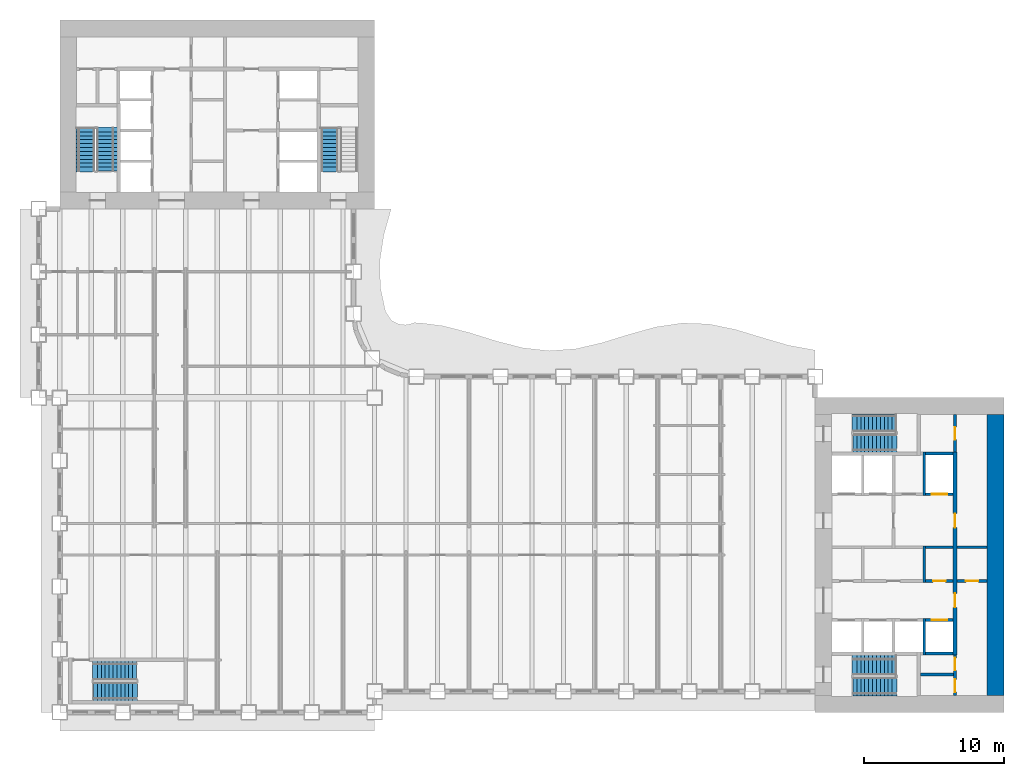
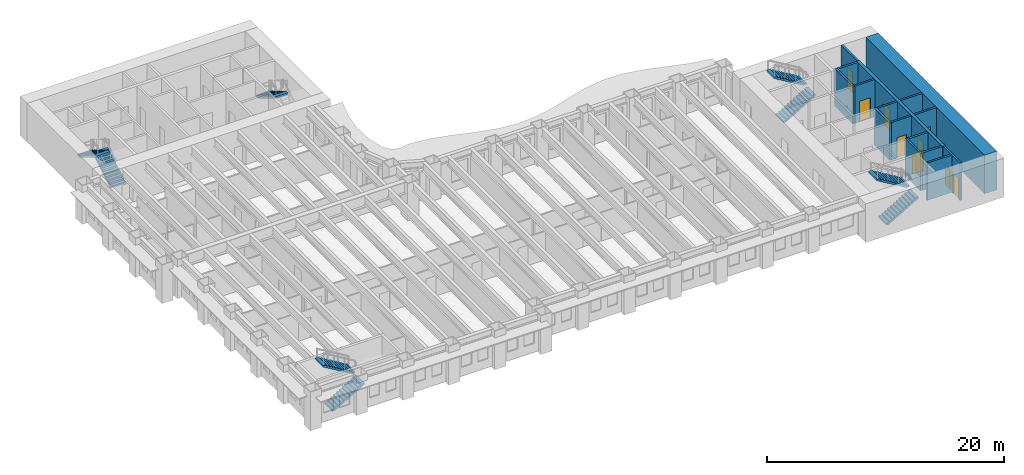
# One storey, part 9 of 16: 16 walls, 9 doors, 9 stair flights, 9 openings, 5 elements without a shape of their own.
"""IFC4 building model written with IfcOpenShell, lengths in metres."""

from ifc_helpers import new_model, si_unit, direction, frame, frame_2d, origin, place, context, subcontext, project, spatial, polyline, rectangle, outline, extrude, material, layer, layer_set, type_object, element, fill, aggregate, save


model = new_model("IFC4")

# Units and contexts
model_context = context("Model", 3, precision=1e-05, world=origin(), true_north=direction((0.0, 1.0)))
body_context = subcontext(model_context, "Body", "Model", "MODEL_VIEW")
ifc_project = project(units=[si_unit("LENGTHUNIT", "METRE"), si_unit("AREAUNIT", "SQUARE_METRE"), si_unit("VOLUMEUNIT", "CUBIC_METRE"), si_unit("PLANEANGLEUNIT", "RADIAN"), si_unit("MASSUNIT", "GRAM", prefix="KILO")], contexts=[model_context])

# Site, building, storey
site_placement = place(None, origin())
site = spatial("IfcSite", under=ifc_project, at=site_placement, CompositionType="ELEMENT")
building_placement = place(site_placement, origin())
building = spatial("IfcBuilding", under=site, at=building_placement, Name="Sennacour Bend Tower", CompositionType="ELEMENT")
storey_placement = place(building_placement, frame((0.0, 0.0, 45.0)))
storey = spatial("IfcBuildingStorey", under=building, at=storey_placement, Name="L09", CompositionType="ELEMENT", Elevation=45.0)

# Walls
ifc_material_1 = material(Name="Concrete C80/95", Category="concrete")
ifc_layer_1 = layer(ifc_material_1, 1.199951171875, Name="Concrete C80/95", Category="concrete")
ifc_layer_set_1 = layer_set([ifc_layer_1], Name="Concrete C80/95")
wall_type_1 = type_object("IfcWallType", Name="Core wall 1200 C80/95", PredefinedType="SHEAR", material=ifc_layer_set_1)
wall_1_placement = place(storey_placement, frame((66.89990234375, 1.199951171875, -0.14990234375), z_axis=(0.0, 0.0, 1.0), x_axis=(0.0, 1.0, 0.0)))
element("IfcWall", 1, at=wall_1_placement, inside=storey, type_object=wall_type_1, Name="Core A wall L09 E", PredefinedType="SHEAR", context=body_context, shape_type="SweptSolid", body=[
    extrude(rectangle(XDim=20.10009765625, YDim=1.199951171875, at=frame_2d((10.050048828125, 0.0))), origin(), (0.0, 0.0, 1.0), 4.0),
])
ifc_material_2 = material(Name="Fire-rated plasterboard partition on steel studs", Category="steel")
ifc_layer_2 = layer(ifc_material_2, 0.199951171875, Name="Fire-rated plasterboard partition on steel studs", Category="steel")
ifc_layer_set_2 = layer_set([ifc_layer_2], Name="Fire-rated plasterboard partition on steel studs")
wall_type_2 = type_object("IfcWallType", Name="Rated partition 200", PredefinedType="PARTITIONING", material=ifc_layer_set_2)
wall_2_placement = place(storey_placement, frame((61.800048828125, 9.300048828125, 0.0), z_axis=(0.0, 0.0, 1.0), x_axis=(0.0, 1.0, 0.0)))
element("IfcWall", 2, at=wall_2_placement, inside=storey, type_object=wall_type_2, Name="P-L09-W043", PredefinedType="PARTITIONING", context=body_context, shape_type="SweptSolid", body=[
    extrude(rectangle(XDim=2.599853515625, YDim=0.199951171875, at=frame_2d((1.2998046875, 0.0))), origin(), (0.0, 0.0, 1.0), 3.85009765625),
])

# Wall, openings, doors
wall_3_placement = place(storey_placement, frame((64.0, 1.199951171875, 0.0), z_axis=(0.0, 0.0, 1.0), x_axis=(0.0, 1.0, 0.0)))
wall_3 = element("IfcWall", 3, at=wall_3_placement, inside=storey, type_object=wall_type_2, Name="P-L09-W045", PredefinedType="PARTITIONING", context=body_context, shape_type="SweptSolid", body=[
    extrude(rectangle(XDim=2.900146484375, YDim=0.199951171875, at=frame_2d((1.4501953125, 0.0))), origin(), (0.0, 0.0, 1.0), 3.85009765625),
])
opening_1_placement = place(wall_3_placement, frame((0.25, 0.0, 0.0)))
opening_1 = element("IfcOpeningElement", 4, at=opening_1_placement, cuts=wall_3, Name="Opening SV", PredefinedType="OPENING", context=body_context, shape_type="SweptSolid", body=[
    extrude(rectangle(XDim=0.89990234375, YDim=2.10009765625, at=frame_2d((0.449951171875, 1.050048828125))), frame((0.0, 0.10986328125, 0.0), z_axis=(0.0, -1.0, 0.0), x_axis=(1.0, 0.0, 0.0)), (0.0, 0.0, 1.0), 0.219970703125),
])
opening_2_placement = place(wall_3_placement, frame((1.800048828125, 0.0, 0.0)))
opening_2 = element("IfcOpeningElement", 5, at=opening_2_placement, cuts=wall_3, Name="Opening SV", PredefinedType="OPENING", context=body_context, shape_type="SweptSolid", body=[
    extrude(rectangle(XDim=0.89990234375, YDim=2.10009765625, at=frame_2d((0.449951171875, 1.050048828125))), frame((0.0, 0.10986328125, 0.0), z_axis=(0.0, -1.0, 0.0), x_axis=(1.0, 0.0, 0.0)), (0.0, 0.0, 1.0), 0.219970703125),
])
ifc_material_3 = material(Name="Painted steel", Category="steel")
door_type_1 = type_object("IfcDoorType", Name="DR-SERVICE-900", OperationType="NOTDEFINED", PredefinedType="DOOR", material=ifc_material_3)
door_1_placement = place(opening_1_placement, origin())
door_1 = element("IfcDoor", 6, at=door_1_placement, inside=storey, type_object=door_type_1, Name="Door", OperationType="SINGLE_SWING_LEFT", OverallHeight=2.10009765625, OverallWidth=0.89990234375, PredefinedType="DOOR", context=body_context, shape_type="SweptSolid", body=[
    extrude(rectangle(XDim=0.89990234375, YDim=2.10009765625, at=frame_2d((0.449951171875, 1.050048828125))), frame((0.0, 0.02490234375, 0.0), z_axis=(0.0, -1.0, 0.0), x_axis=(1.0, 0.0, 0.0)), (0.0, 0.0, 1.0), 0.050048828125),
])
fill(opening_1, door_1)
door_2_placement = place(opening_2_placement, origin())
door_2 = element("IfcDoor", 7, at=door_2_placement, inside=storey, type_object=door_type_1, Name="Door", OperationType="SINGLE_SWING_RIGHT", OverallHeight=2.10009765625, OverallWidth=0.89990234375, PredefinedType="DOOR", context=body_context, shape_type="SweptSolid", body=[
    extrude(rectangle(XDim=0.89990234375, YDim=2.10009765625, at=frame_2d((0.449951171875, 1.050048828125))), frame((0.0, 0.02490234375, 0.0), z_axis=(0.0, -1.0, 0.0), x_axis=(1.0, 0.0, 0.0)), (0.0, 0.0, 1.0), 0.050048828125),
])
fill(opening_2, door_2)

# Wall, opening, door
wall_4_placement = place(storey_placement, frame((64.0, 18.60009765625, 0.0), z_axis=(0.0, 0.0, 1.0), x_axis=(0.0, 1.0, 0.0)))
wall_4 = element("IfcWall", 8, at=wall_4_placement, inside=storey, type_object=wall_type_2, Name="P-L09-W047", PredefinedType="PARTITIONING", context=body_context, shape_type="SweptSolid", body=[
    extrude(rectangle(XDim=2.699951171875, YDim=0.199951171875, at=frame_2d((1.35009765625, 0.0))), origin(), (0.0, 0.0, 1.0), 3.85009765625),
])
opening_3_placement = place(wall_4_placement, frame((0.89990234375, 0.0, 0.0)))
opening_3 = element("IfcOpeningElement", 9, at=opening_3_placement, cuts=wall_4, Name="Opening WD", PredefinedType="OPENING", context=body_context, shape_type="SweptSolid", body=[
    extrude(rectangle(XDim=0.89990234375, YDim=2.10009765625, at=frame_2d((0.449951171875, 1.050048828125))), frame((0.0, 0.10986328125, 0.0), z_axis=(0.0, -1.0, 0.0), x_axis=(1.0, 0.0, 0.0)), (0.0, 0.0, 1.0), 0.219970703125),
])
ifc_material_4 = material(Name="Timber", Category="wood")
door_type_2 = type_object("IfcDoorType", Name="DR-WC-900", OperationType="NOTDEFINED", PredefinedType="DOOR", material=ifc_material_4)
door_3_placement = place(opening_3_placement, origin())
door_3 = element("IfcDoor", 10, at=door_3_placement, inside=storey, type_object=door_type_2, Name="Door", OperationType="SINGLE_SWING_LEFT", OverallHeight=2.10009765625, OverallWidth=0.89990234375, PredefinedType="DOOR", context=body_context, shape_type="SweptSolid", body=[
    extrude(rectangle(XDim=0.89990234375, YDim=2.10009765625, at=frame_2d((0.449951171875, 1.050048828125))), frame((0.0, 0.02490234375, 0.0), z_axis=(0.0, -1.0, 0.0), x_axis=(1.0, 0.0, 0.0)), (0.0, 0.0, 1.0), 0.050048828125),
])
fill(opening_3, door_3)

# Wall
wall_5_placement = place(storey_placement, frame((61.52490234375, 2.699951171875, 0.0), z_axis=(0.0, 0.0, 1.0), x_axis=(1.0, 0.0, 0.0)))
element("IfcWall", 11, at=wall_5_placement, inside=storey, type_object=wall_type_2, Name="P-L09-W051", PredefinedType="PARTITIONING", context=body_context, shape_type="SweptSolid", body=[
    extrude(rectangle(XDim=2.375, YDim=0.199951171875, at=frame_2d((1.1875, 0.0))), origin(), (0.0, 0.0, 1.0), 3.85009765625),
])

# Wall, opening, door
wall_6_placement = place(storey_placement, frame((61.89990234375, 9.39990234375, 0.0), z_axis=(0.0, 0.0, 1.0), x_axis=(1.0, 0.0, 0.0)))
wall_6 = element("IfcWall", 12, at=wall_6_placement, inside=storey, type_object=wall_type_2, Name="P-L09-W058c", PredefinedType="PARTITIONING", context=body_context, shape_type="SweptSolid", body=[
    extrude(rectangle(XDim=1.9501953125, YDim=0.199951171875, at=frame_2d((0.97509765625, 0.0))), origin(), (0.0, 0.0, 1.0), 3.85009765625),
])
opening_4_placement = place(wall_6_placement, frame((0.525146484375, 0.0, 0.0)))
opening_4 = element("IfcOpeningElement", 13, at=opening_4_placement, cuts=wall_6, Name="Opening SV", PredefinedType="OPENING", context=body_context, shape_type="SweptSolid", body=[
    extrude(rectangle(XDim=0.89990234375, YDim=2.10009765625, at=frame_2d((0.449951171875, 1.050048828125))), frame((0.0, 0.10986328125, 0.0), z_axis=(0.0, -1.0, 0.0), x_axis=(1.0, 0.0, 0.0)), (0.0, 0.0, 1.0), 0.219970703125),
])
door_4_placement = place(opening_4_placement, origin())
door_4 = element("IfcDoor", 14, at=door_4_placement, inside=storey, type_object=door_type_1, Name="Door", OperationType="SINGLE_SWING_LEFT", OverallHeight=2.10009765625, OverallWidth=0.89990234375, PredefinedType="DOOR", context=body_context, shape_type="SweptSolid", body=[
    extrude(rectangle(XDim=0.89990234375, YDim=2.10009765625, at=frame_2d((0.449951171875, 1.050048828125))), frame((0.0, 0.02490234375, 0.0), z_axis=(0.0, -1.0, 0.0), x_axis=(1.0, 0.0, 0.0)), (0.0, 0.0, 1.0), 0.050048828125),
])
fill(opening_4, door_4)

wall_7_placement = place(storey_placement, frame((64.14990234375, 9.39990234375, 0.0), z_axis=(0.0, 0.0, 1.0), x_axis=(1.0, 0.0, 0.0)))
wall_7 = element("IfcWall", 15, at=wall_7_placement, inside=storey, type_object=wall_type_2, Name="P-L09-W058d", PredefinedType="PARTITIONING", context=body_context, shape_type="SweptSolid", body=[
    extrude(rectangle(XDim=2.150146484375, YDim=0.199951171875, at=frame_2d((1.0751953125, 0.0))), origin(), (0.0, 0.0, 1.0), 3.85009765625),
])
opening_5_placement = place(wall_7_placement, frame((0.625, 0.0, 0.0)))
opening_5 = element("IfcOpeningElement", 16, at=opening_5_placement, cuts=wall_7, Name="Opening SV", PredefinedType="OPENING", context=body_context, shape_type="SweptSolid", body=[
    extrude(rectangle(XDim=0.89990234375, YDim=2.10009765625, at=frame_2d((0.449951171875, 1.050048828125))), frame((0.0, 0.10986328125, 0.0), z_axis=(0.0, -1.0, 0.0), x_axis=(1.0, 0.0, 0.0)), (0.0, 0.0, 1.0), 0.219970703125),
])
door_5_placement = place(opening_5_placement, origin())
door_5 = element("IfcDoor", 17, at=door_5_placement, inside=storey, type_object=door_type_1, Name="Door", OperationType="SINGLE_SWING_LEFT", OverallHeight=2.10009765625, OverallWidth=0.89990234375, PredefinedType="DOOR", context=body_context, shape_type="SweptSolid", body=[
    extrude(rectangle(XDim=0.89990234375, YDim=2.10009765625, at=frame_2d((0.449951171875, 1.050048828125))), frame((0.0, 0.02490234375, 0.0), z_axis=(0.0, -1.0, 0.0), x_axis=(1.0, 0.0, 0.0)), (0.0, 0.0, 1.0), 0.050048828125),
])
fill(opening_5, door_5)

# Walls
wall_8_placement = place(storey_placement, frame((61.89990234375, 11.800048828125, 0.0), z_axis=(0.0, 0.0, 1.0), x_axis=(1.0, 0.0, 0.0)))
element("IfcWall", 18, at=wall_8_placement, inside=storey, type_object=wall_type_2, Name="P-L09-W060d", PredefinedType="PARTITIONING", context=body_context, shape_type="SweptSolid", body=[
    extrude(rectangle(XDim=1.9501953125, YDim=0.199951171875, at=frame_2d((0.97509765625, 0.0))), origin(), (0.0, 0.0, 1.0), 3.85009765625),
])
wall_9_placement = place(storey_placement, frame((64.14990234375, 11.800048828125, 0.0), z_axis=(0.0, 0.0, 1.0), x_axis=(1.0, 0.0, 0.0)))
element("IfcWall", 19, at=wall_9_placement, inside=storey, type_object=wall_type_2, Name="P-L09-W060e", PredefinedType="PARTITIONING", context=body_context, shape_type="SweptSolid", body=[
    extrude(rectangle(XDim=2.150146484375, YDim=0.199951171875, at=frame_2d((1.0751953125, 0.0))), origin(), (0.0, 0.0, 1.0), 3.85009765625),
])
ifc_material_5 = material(Name="Concrete C50/60", Category="concrete")
ifc_layer_3 = layer(ifc_material_5, 0.199951171875, Name="Concrete C50/60", Category="concrete")
ifc_layer_set_3 = layer_set([ifc_layer_3], Name="Concrete C50/60")
wall_type_3 = type_object("IfcWallType", Name="Shaft wall 200", PredefinedType="SOLIDWALL", material=ifc_layer_set_3)
wall_10_placement = place(storey_placement, frame((61.800048828125, 4.10009765625, 0.0), z_axis=(0.0, 0.0, 1.0), x_axis=(0.0, 1.0, 0.0)))
element("IfcWall", 20, at=wall_10_placement, inside=storey, type_object=wall_type_3, Name="P-L09-W042", PredefinedType="SOLIDWALL", context=body_context, shape_type="SweptSolid", body=[
    extrude(rectangle(XDim=2.599853515625, YDim=0.199951171875, at=frame_2d((1.2998046875, 0.0))), origin(), (0.0, 0.0, 1.0), 3.85009765625),
])
wall_11_placement = place(storey_placement, frame((61.800048828125, 15.5, 0.0), z_axis=(0.0, 0.0, 1.0), x_axis=(0.0, 1.0, 0.0)))
element("IfcWall", 21, at=wall_11_placement, inside=storey, type_object=wall_type_3, Name="P-L09-W044", PredefinedType="SOLIDWALL", context=body_context, shape_type="SweptSolid", body=[
    extrude(rectangle(XDim=3.10009765625, YDim=0.199951171875, at=frame_2d((1.550048828125, 0.0))), origin(), (0.0, 0.0, 1.0), 3.85009765625),
])
wall_12_placement = place(storey_placement, frame((61.89990234375, 4.199951171875, 0.0), z_axis=(0.0, 0.0, 1.0), x_axis=(1.0, 0.0, 0.0)))
element("IfcWall", 22, at=wall_12_placement, inside=storey, type_object=wall_type_3, Name="P-L09-W056b", PredefinedType="SOLIDWALL", context=body_context, shape_type="SweptSolid", body=[
    extrude(rectangle(XDim=1.9501953125, YDim=0.199951171875, at=frame_2d((0.97509765625, 0.0))), origin(), (0.0, 0.0, 1.0), 3.85009765625),
])

# Wall, opening, door
wall_13_placement = place(storey_placement, frame((61.89990234375, 6.60009765625, 0.0), z_axis=(0.0, 0.0, 1.0), x_axis=(1.0, 0.0, 0.0)))
wall_13 = element("IfcWall", 23, at=wall_13_placement, inside=storey, type_object=wall_type_3, Name="P-L09-W057d", PredefinedType="SOLIDWALL", context=body_context, shape_type="SweptSolid", body=[
    extrude(rectangle(XDim=1.9501953125, YDim=0.199951171875, at=frame_2d((0.97509765625, 0.0))), origin(), (0.0, 0.0, 1.0), 3.85009765625),
])
opening_6_placement = place(wall_13_placement, frame((0.425048828125, 0.0, 0.011962890625)))
opening_6 = element("IfcOpeningElement", 24, at=opening_6_placement, cuts=wall_13, Name="Opening LD", PredefinedType="OPENING", context=body_context, shape_type="SweptSolid", body=[
    extrude(rectangle(XDim=1.10009765625, YDim=2.10009765625, at=frame_2d((0.550048828125, 1.050048828125))), frame((0.0, 0.10986328125, 0.0), z_axis=(0.0, -1.0, 0.0), x_axis=(1.0, 0.0, 0.0)), (0.0, 0.0, 1.0), 0.219970703125),
])
ifc_material_6 = material(Name="Stainless steel", Category="steel")
door_type_3 = type_object("IfcDoorType", Name="DR-LANDING-1100", OperationType="NOTDEFINED", PredefinedType="DOOR", material=ifc_material_6)
door_6_placement = place(opening_6_placement, origin())
door_6 = element("IfcDoor", 25, at=door_6_placement, inside=storey, type_object=door_type_3, Name="Lift landing door LA4", OperationType="SLIDING_TO_RIGHT", OverallHeight=2.10009765625, OverallWidth=1.10009765625, PredefinedType="DOOR", context=body_context, shape_type="SweptSolid", body=[
    extrude(rectangle(XDim=1.10009765625, YDim=2.10009765625, at=frame_2d((0.550048828125, 1.050048828125))), frame((0.0, 0.02490234375, 0.0), z_axis=(0.0, -1.0, 0.0), x_axis=(1.0, 0.0, 0.0)), (0.0, 0.0, 1.0), 0.050048828125),
])
fill(opening_6, door_6)

wall_14_placement = place(storey_placement, frame((61.89990234375, 15.60009765625, 0.0), z_axis=(0.0, 0.0, 1.0), x_axis=(1.0, 0.0, 0.0)))
wall_14 = element("IfcWall", 26, at=wall_14_placement, inside=storey, type_object=wall_type_3, Name="P-L09-W064", PredefinedType="SOLIDWALL", context=body_context, shape_type="SweptSolid", body=[
    extrude(rectangle(XDim=1.9501953125, YDim=0.199951171875, at=frame_2d((0.97509765625, 0.0))), origin(), (0.0, 0.0, 1.0), 3.85009765625),
])
opening_7_placement = place(wall_14_placement, frame((0.425048828125, 0.0, 0.011962890625)))
opening_7 = element("IfcOpeningElement", 27, at=opening_7_placement, cuts=wall_14, Name="Opening LD", PredefinedType="OPENING", context=body_context, shape_type="SweptSolid", body=[
    extrude(rectangle(XDim=1.10009765625, YDim=2.10009765625, at=frame_2d((0.550048828125, 1.050048828125))), frame((0.0, 0.10986328125, 0.0), z_axis=(0.0, -1.0, 0.0), x_axis=(1.0, 0.0, 0.0)), (0.0, 0.0, 1.0), 0.219970703125),
])
door_7_placement = place(opening_7_placement, origin())
door_7 = element("IfcDoor", 28, at=door_7_placement, inside=storey, type_object=door_type_3, Name="Lift landing door LA5", OperationType="SLIDING_TO_LEFT", OverallHeight=2.10009765625, OverallWidth=1.10009765625, PredefinedType="DOOR", context=body_context, shape_type="SweptSolid", body=[
    extrude(rectangle(XDim=1.10009765625, YDim=2.10009765625, at=frame_2d((0.550048828125, 1.050048828125))), frame((0.0, 0.02490234375, 0.0), z_axis=(0.0, -1.0, 0.0), x_axis=(1.0, 0.0, 0.0)), (0.0, 0.0, 1.0), 0.050048828125),
])
fill(opening_7, door_7)

# Wall
wall_15_placement = place(storey_placement, frame((61.89990234375, 18.5, 0.0), z_axis=(0.0, 0.0, 1.0), x_axis=(1.0, 0.0, 0.0)))
element("IfcWall", 29, at=wall_15_placement, inside=storey, type_object=wall_type_3, Name="P-L09-W068", PredefinedType="SOLIDWALL", context=body_context, shape_type="SweptSolid", body=[
    extrude(rectangle(XDim=1.9501953125, YDim=0.199951171875, at=frame_2d((0.97509765625, 0.0))), origin(), (0.0, 0.0, 1.0), 3.85009765625),
])

# Wall, openings, doors
ifc_material_7 = material(Name="Concrete C60/75", Category="concrete")
ifc_layer_4 = layer(ifc_material_7, 0.300048828125, Name="Concrete C60/75", Category="concrete")
ifc_layer_set_4 = layer_set([ifc_layer_4], Name="Concrete C60/75")
wall_type_4 = type_object("IfcWallType", Name="Spine wall 300", PredefinedType="SHEAR", material=ifc_layer_set_4)
wall_16_placement = place(storey_placement, frame((64.0, 4.10009765625, 0.0), z_axis=(0.0, 0.0, 1.0), x_axis=(0.0, 1.0, 0.0)))
wall_16 = element("IfcWall", 30, at=wall_16_placement, inside=storey, type_object=wall_type_4, Name="P-L09-W046", PredefinedType="SHEAR", context=body_context, shape_type="SweptSolid", body=[
    extrude(rectangle(XDim=14.5, YDim=0.300048828125, at=frame_2d((7.25, 0.0))), origin(), (0.0, 0.0, 1.0), 3.85009765625),
])
opening_8_placement = place(wall_16_placement, frame((3.39990234375, 0.0, 0.0)))
opening_8 = element("IfcOpeningElement", 31, at=opening_8_placement, cuts=wall_16, Name="Opening CD2", PredefinedType="OPENING", context=body_context, shape_type="SweptSolid", body=[
    extrude(rectangle(XDim=1.0, YDim=2.10009765625, at=frame_2d((0.5, 1.050048828125))), frame((0.0, 0.16015625, 0.0), z_axis=(0.0, -1.0, 0.0), x_axis=(1.0, 0.0, 0.0)), (0.0, 0.0, 1.0), 0.320068359375),
])
opening_9_placement = place(wall_16_placement, frame((9.099853515625, 0.0, 0.0)))
opening_9 = element("IfcOpeningElement", 32, at=opening_9_placement, cuts=wall_16, Name="Opening CD2", PredefinedType="OPENING", context=body_context, shape_type="SweptSolid", body=[
    extrude(rectangle(XDim=1.0, YDim=2.10009765625, at=frame_2d((0.5, 1.050048828125))), frame((0.0, 0.16015625, 0.0), z_axis=(0.0, -1.0, 0.0), x_axis=(1.0, 0.0, 0.0)), (0.0, 0.0, 1.0), 0.320068359375),
])
door_type_4 = type_object("IfcDoorType", Name="DR-LOBBY-1000", OperationType="NOTDEFINED", PredefinedType="DOOR", material=ifc_material_3)
door_8_placement = place(opening_8_placement, origin())
door_8 = element("IfcDoor", 33, at=door_8_placement, inside=storey, type_object=door_type_4, Name="Door", OperationType="SINGLE_SWING_LEFT", OverallHeight=2.10009765625, OverallWidth=1.0, PredefinedType="DOOR", context=body_context, shape_type="SweptSolid", body=[
    extrude(rectangle(XDim=1.0, YDim=2.10009765625, at=frame_2d((0.5, 1.050048828125))), frame((0.0, 0.02490234375, 0.0), z_axis=(0.0, -1.0, 0.0), x_axis=(1.0, 0.0, 0.0)), (0.0, 0.0, 1.0), 0.050048828125),
])
fill(opening_8, door_8)
door_9_placement = place(opening_9_placement, origin())
door_9 = element("IfcDoor", 34, at=door_9_placement, inside=storey, type_object=door_type_4, Name="Door", OperationType="SINGLE_SWING_RIGHT", OverallHeight=2.10009765625, OverallWidth=1.0, PredefinedType="DOOR", context=body_context, shape_type="SweptSolid", body=[
    extrude(rectangle(XDim=1.0, YDim=2.10009765625, at=frame_2d((0.5, 1.050048828125))), frame((0.0, 0.02490234375, 0.0), z_axis=(0.0, -1.0, 0.0), x_axis=(1.0, 0.0, 0.0)), (0.0, 0.0, 1.0), 0.050048828125),
])
fill(opening_9, door_9)

# Stair, stair flights
ifc_material_8 = material(Name="Concrete C40/50", Category="concrete")
stair_type = type_object("IfcStairType", Name="ST-DOGLEG", PredefinedType="HALF_TURN_STAIR", material=ifc_material_8)
stair_1_placement = place(storey_placement, origin())
stair_1 = element("IfcStair", 35, at=stair_1_placement, inside=storey, type_object=stair_type, Name="L09 Exit stair A1", PredefinedType="HALF_TURN_STAIR")
stair_flight_type = type_object("IfcStairFlightType", Name="SFL-RC", PredefinedType="STRAIGHT", material=ifc_material_8)
stair_flight_1_placement = place(storey_placement, frame((56.699951171875, 1.8349609375, 0.0), z_axis=(0.0, 0.0, 1.0), x_axis=(1.0, 0.0, 0.0)))
stair_flight_1 = element("IfcStairFlight", 36, at=stair_flight_1_placement, type_object=stair_flight_type, Name="SA1 flight 1", NumberOfRisers=12, NumberOfTreads=11, PredefinedType="STRAIGHT", RiserHeight=0.166666667, TreadLength=0.28, context=body_context, shape_type="SweptSolid", body=[
    extrude(outline(polyline([(0.0, 0.0), (0.0, 0.166748046875), (0.280029296875, 0.166748046875), (0.280029296875, 0.333251953125), (0.56005859375, 0.333251953125), (0.56005859375, 0.5), (0.840087890625, 0.5), (0.840087890625, 0.666748046875), (1.1201171875, 0.666748046875), (1.1201171875, 0.833251953125), (1.39990234375, 0.833251953125), (1.39990234375, 1.0), (1.679931640625, 1.0), (1.679931640625, 1.166748046875), (1.9599609375, 1.166748046875), (1.9599609375, 1.333251953125), (2.239990234375, 1.333251953125), (2.239990234375, 1.5), (2.52001953125, 1.5), (2.52001953125, 1.666748046875), (2.800048828125, 1.666748046875), (2.800048828125, 1.833251953125), (3.080078125, 1.833251953125), (3.139892578125, 1.833251953125), (3.139892578125, 1.658935546875), (3.080078125, 1.658935546875), (0.29296875, 0.0), (0.0, 0.0)])), frame((0.0, 0.6650390625, 0.0), z_axis=(0.0, -1.0, 0.0), x_axis=(1.0, 0.0, 0.0)), (0.0, 0.0, 1.0), 1.330078125),
])
stair_flight_2_placement = place(storey_placement, frame((59.780029296875, 3.37744140625, 2.0), z_axis=(0.0, 0.0, 1.0), x_axis=(-1.0, 0.0, 0.0)))
stair_flight_2 = element("IfcStairFlight", 37, at=stair_flight_2_placement, type_object=stair_flight_type, Name="SA1 flight 2", NumberOfRisers=12, NumberOfTreads=11, PredefinedType="STRAIGHT", RiserHeight=0.166666667, TreadLength=0.28, context=body_context, shape_type="SweptSolid", body=[
    extrude(outline(polyline([(0.0, 0.0), (0.0, 0.166748046875), (0.280029296875, 0.166748046875), (0.280029296875, 0.333251953125), (0.56005859375, 0.333251953125), (0.56005859375, 0.5), (0.840087890625, 0.5), (0.840087890625, 0.666748046875), (1.1201171875, 0.666748046875), (1.1201171875, 0.833251953125), (1.39990234375, 0.833251953125), (1.39990234375, 1.0), (1.679931640625, 1.0), (1.679931640625, 1.166748046875), (1.9599609375, 1.166748046875), (1.9599609375, 1.333251953125), (2.239990234375, 1.333251953125), (2.239990234375, 1.5), (2.52001953125, 1.5), (2.52001953125, 1.666748046875), (2.800048828125, 1.666748046875), (2.800048828125, 1.833251953125), (3.080078125, 1.833251953125), (3.139892578125, 1.833251953125), (3.139892578125, 1.658935546875), (3.080078125, 1.658935546875), (0.29296875, 0.0), (0.0, 0.0)])), frame((0.0, 0.7275390625, 0.0), z_axis=(0.0, -1.0, 0.0), x_axis=(1.0, 0.0, 0.0)), (0.0, 0.0, 1.0), 1.455078125),
])
aggregate(stair_1, [stair_flight_1, stair_flight_2])

stair_2_placement = place(storey_placement, origin())
stair_2 = element("IfcStair", 38, at=stair_2_placement, inside=storey, type_object=stair_type, Name="L09 Exit stair A2", PredefinedType="HALF_TURN_STAIR")
stair_flight_3_placement = place(storey_placement, frame((56.699951171875, 19.24755859375, 0.0), z_axis=(0.0, 0.0, 1.0), x_axis=(1.0, 0.0, 0.0)))
stair_flight_3 = element("IfcStairFlight", 39, at=stair_flight_3_placement, type_object=stair_flight_type, Name="SA2 flight 1", NumberOfRisers=12, NumberOfTreads=11, PredefinedType="STRAIGHT", RiserHeight=0.166666667, TreadLength=0.28, context=body_context, shape_type="SweptSolid", body=[
    extrude(outline(polyline([(0.0, 0.0), (0.0, 0.166748046875), (0.280029296875, 0.166748046875), (0.280029296875, 0.333251953125), (0.56005859375, 0.333251953125), (0.56005859375, 0.5), (0.840087890625, 0.5), (0.840087890625, 0.666748046875), (1.1201171875, 0.666748046875), (1.1201171875, 0.833251953125), (1.39990234375, 0.833251953125), (1.39990234375, 1.0), (1.679931640625, 1.0), (1.679931640625, 1.166748046875), (1.9599609375, 1.166748046875), (1.9599609375, 1.333251953125), (2.239990234375, 1.333251953125), (2.239990234375, 1.5), (2.52001953125, 1.5), (2.52001953125, 1.666748046875), (2.800048828125, 1.666748046875), (2.800048828125, 1.833251953125), (3.080078125, 1.833251953125), (3.139892578125, 1.833251953125), (3.139892578125, 1.658935546875), (3.080078125, 1.658935546875), (0.29296875, 0.0), (0.0, 0.0)])), frame((0.0, 0.65234375, 0.0), z_axis=(0.0, -1.0, 0.0), x_axis=(1.0, 0.0, 0.0)), (0.0, 0.0, 1.0), 1.304931640625),
])
stair_flight_4_placement = place(storey_placement, frame((59.780029296875, 20.68994140625, 2.0), z_axis=(0.0, 0.0, 1.0), x_axis=(-1.0, 0.0, 0.0)))
stair_flight_4 = element("IfcStairFlight", 40, at=stair_flight_4_placement, type_object=stair_flight_type, Name="SA2 flight 2", NumberOfRisers=12, NumberOfTreads=11, PredefinedType="STRAIGHT", RiserHeight=0.166666667, TreadLength=0.28, context=body_context, shape_type="SweptSolid", body=[
    extrude(outline(polyline([(0.0, 0.0), (0.0, 0.166748046875), (0.280029296875, 0.166748046875), (0.280029296875, 0.333251953125), (0.56005859375, 0.333251953125), (0.56005859375, 0.5), (0.840087890625, 0.5), (0.840087890625, 0.666748046875), (1.1201171875, 0.666748046875), (1.1201171875, 0.833251953125), (1.39990234375, 0.833251953125), (1.39990234375, 1.0), (1.679931640625, 1.0), (1.679931640625, 1.166748046875), (1.9599609375, 1.166748046875), (1.9599609375, 1.333251953125), (2.239990234375, 1.333251953125), (2.239990234375, 1.5), (2.52001953125, 1.5), (2.52001953125, 1.666748046875), (2.800048828125, 1.666748046875), (2.800048828125, 1.833251953125), (3.080078125, 1.833251953125), (3.139892578125, 1.833251953125), (3.139892578125, 1.658935546875), (3.080078125, 1.658935546875), (0.29296875, 0.0), (0.0, 0.0)])), frame((0.0, 0.64013671875, 0.0), z_axis=(0.0, -1.0, 0.0), x_axis=(1.0, 0.0, 0.0)), (0.0, 0.0, 1.0), 1.280029296875),
])
aggregate(stair_2, [stair_flight_3, stair_flight_4])

stair_3_placement = place(storey_placement, origin())
stair_3 = element("IfcStair", 41, at=stair_3_placement, inside=storey, type_object=stair_type, Name="L09 Exit stair B1", PredefinedType="HALF_TURN_STAIR")
stair_flight_5_placement = place(storey_placement, frame((3.37744140625, 38.699951171875, 0.0), z_axis=(0.0, 0.0, 1.0), x_axis=(0.0, 1.0, 0.0)))
stair_flight_5 = element("IfcStairFlight", 42, at=stair_flight_5_placement, type_object=stair_flight_type, Name="SB1 flight 1", NumberOfRisers=12, NumberOfTreads=11, PredefinedType="STRAIGHT", RiserHeight=0.166666667, TreadLength=0.28, context=body_context, shape_type="SweptSolid", body=[
    extrude(outline(polyline([(0.0, 0.0), (0.0, 0.166748046875), (0.280029296875, 0.166748046875), (0.280029296875, 0.333251953125), (0.56005859375, 0.333251953125), (0.56005859375, 0.5), (0.840087890625, 0.5), (0.840087890625, 0.666748046875), (1.1201171875, 0.666748046875), (1.1201171875, 0.833251953125), (1.39990234375, 0.833251953125), (1.39990234375, 1.0), (1.679931640625, 1.0), (1.679931640625, 1.166748046875), (1.9599609375, 1.166748046875), (1.9599609375, 1.333251953125), (2.239990234375, 1.333251953125), (2.239990234375, 1.5), (2.52001953125, 1.5), (2.52001953125, 1.666748046875), (2.800048828125, 1.666748046875), (2.800048828125, 1.833251953125), (3.080078125, 1.833251953125), (3.139892578125, 1.833251953125), (3.139892578125, 1.658935546875), (3.080078125, 1.658935546875), (0.29296875, 0.0), (0.0, 0.0)])), frame((0.0, 0.7275390625, 0.0), z_axis=(0.0, -1.0, 0.0), x_axis=(1.0, 0.0, 0.0)), (0.0, 0.0, 1.0), 1.455078125),
])
stair_flight_6_placement = place(storey_placement, frame((1.8349609375, 41.780029296875, 2.0), z_axis=(0.0, 0.0, 1.0), x_axis=(0.0, -1.0, 0.0)))
stair_flight_6 = element("IfcStairFlight", 43, at=stair_flight_6_placement, type_object=stair_flight_type, Name="SB1 flight 2", NumberOfRisers=12, NumberOfTreads=11, PredefinedType="STRAIGHT", RiserHeight=0.166666667, TreadLength=0.28, context=body_context, shape_type="SweptSolid", body=[
    extrude(outline(polyline([(0.0, 0.0), (0.0, 0.166748046875), (0.280029296875, 0.166748046875), (0.280029296875, 0.333251953125), (0.56005859375, 0.333251953125), (0.56005859375, 0.5), (0.840087890625, 0.5), (0.840087890625, 0.666748046875), (1.1201171875, 0.666748046875), (1.1201171875, 0.833251953125), (1.39990234375, 0.833251953125), (1.39990234375, 1.0), (1.679931640625, 1.0), (1.679931640625, 1.166748046875), (1.9599609375, 1.166748046875), (1.9599609375, 1.333251953125), (2.239990234375, 1.333251953125), (2.239990234375, 1.5), (2.52001953125, 1.5), (2.52001953125, 1.666748046875), (2.800048828125, 1.666748046875), (2.800048828125, 1.833251953125), (3.080078125, 1.833251953125), (3.139892578125, 1.833251953125), (3.139892578125, 1.658935546875), (3.080078125, 1.658935546875), (0.29296875, 0.0), (0.0, 0.0)])), frame((0.0, 0.6650390625, 0.0), z_axis=(0.0, -1.0, 0.0), x_axis=(1.0, 0.0, 0.0)), (0.0, 0.0, 1.0), 1.330078125),
])
aggregate(stair_3, [stair_flight_5, stair_flight_6])

# Stair, stair flight
stair_4_placement = place(storey_placement, origin())
stair_4 = element("IfcStair", 44, at=stair_4_placement, inside=storey, type_object=stair_type, Name="L09 Exit stair B2", PredefinedType="HALF_TURN_STAIR")
stair_flight_7_placement = place(storey_placement, frame((19.24755859375, 41.780029296875, 2.0), z_axis=(0.0, 0.0, 1.0), x_axis=(0.0, -1.0, 0.0)))
stair_flight_7 = element("IfcStairFlight", 45, at=stair_flight_7_placement, type_object=stair_flight_type, Name="SB2 flight 2", NumberOfRisers=12, NumberOfTreads=11, PredefinedType="STRAIGHT", RiserHeight=0.166666667, TreadLength=0.28, context=body_context, shape_type="SweptSolid", body=[
    extrude(outline(polyline([(0.0, 0.0), (0.0, 0.166748046875), (0.280029296875, 0.166748046875), (0.280029296875, 0.333251953125), (0.56005859375, 0.333251953125), (0.56005859375, 0.5), (0.840087890625, 0.5), (0.840087890625, 0.666748046875), (1.1201171875, 0.666748046875), (1.1201171875, 0.833251953125), (1.39990234375, 0.833251953125), (1.39990234375, 1.0), (1.679931640625, 1.0), (1.679931640625, 1.166748046875), (1.9599609375, 1.166748046875), (1.9599609375, 1.333251953125), (2.239990234375, 1.333251953125), (2.239990234375, 1.5), (2.52001953125, 1.5), (2.52001953125, 1.666748046875), (2.800048828125, 1.666748046875), (2.800048828125, 1.833251953125), (3.080078125, 1.833251953125), (3.139892578125, 1.833251953125), (3.139892578125, 1.658935546875), (3.080078125, 1.658935546875), (0.29296875, 0.0), (0.0, 0.0)])), frame((0.0, 0.65234375, 0.0), z_axis=(0.0, -1.0, 0.0), x_axis=(1.0, 0.0, 0.0)), (0.0, 0.0, 1.0), 1.304931640625),
])
aggregate(stair_4, [stair_flight_7])

# Stair, stair flights
stair_5_placement = place(storey_placement, origin())
stair_5 = element("IfcStair", 46, at=stair_5_placement, inside=storey, type_object=stair_type, Name="L09 Exit stair K1", PredefinedType="HALF_TURN_STAIR")
stair_flight_8_placement = place(storey_placement, frame((2.39990234375, 1.485107421875, 0.0), z_axis=(0.0, 0.0, 1.0), x_axis=(1.0, 0.0, 0.0)))
stair_flight_8 = element("IfcStairFlight", 47, at=stair_flight_8_placement, type_object=stair_flight_type, Name="SK1 flight 1", NumberOfRisers=12, NumberOfTreads=11, PredefinedType="STRAIGHT", RiserHeight=0.166666667, TreadLength=0.28, context=body_context, shape_type="SweptSolid", body=[
    extrude(outline(polyline([(0.0, 0.0), (0.0, 0.166748046875), (0.280029296875, 0.166748046875), (0.280029296875, 0.333251953125), (0.56005859375, 0.333251953125), (0.56005859375, 0.5), (0.840087890625, 0.5), (0.840087890625, 0.666748046875), (1.1201171875, 0.666748046875), (1.1201171875, 0.833251953125), (1.39990234375, 0.833251953125), (1.39990234375, 1.0), (1.679931640625, 1.0), (1.679931640625, 1.166748046875), (1.9599609375, 1.166748046875), (1.9599609375, 1.333251953125), (2.239990234375, 1.333251953125), (2.239990234375, 1.5), (2.52001953125, 1.5), (2.52001953125, 1.666748046875), (2.800048828125, 1.666748046875), (2.800048828125, 1.833251953125), (3.080078125, 1.833251953125), (3.139892578125, 1.833251953125), (3.139892578125, 1.658935546875), (3.080078125, 1.658935546875), (0.29296875, 0.0), (0.0, 0.0)])), frame((0.0, 0.6650390625, 0.0), z_axis=(0.0, -1.0, 0.0), x_axis=(1.0, 0.0, 0.0)), (0.0, 0.0, 1.0), 1.330078125),
])
stair_flight_9_placement = place(storey_placement, frame((5.47998046875, 2.9775390625, 2.0), z_axis=(0.0, 0.0, 1.0), x_axis=(-1.0, 0.0, 0.0)))
stair_flight_9 = element("IfcStairFlight", 48, at=stair_flight_9_placement, type_object=stair_flight_type, Name="SK1 flight 2", NumberOfRisers=12, NumberOfTreads=11, PredefinedType="STRAIGHT", RiserHeight=0.166666667, TreadLength=0.28, context=body_context, shape_type="SweptSolid", body=[
    extrude(outline(polyline([(0.0, 0.0), (0.0, 0.166748046875), (0.280029296875, 0.166748046875), (0.280029296875, 0.333251953125), (0.56005859375, 0.333251953125), (0.56005859375, 0.5), (0.840087890625, 0.5), (0.840087890625, 0.666748046875), (1.1201171875, 0.666748046875), (1.1201171875, 0.833251953125), (1.39990234375, 0.833251953125), (1.39990234375, 1.0), (1.679931640625, 1.0), (1.679931640625, 1.166748046875), (1.9599609375, 1.166748046875), (1.9599609375, 1.333251953125), (2.239990234375, 1.333251953125), (2.239990234375, 1.5), (2.52001953125, 1.5), (2.52001953125, 1.666748046875), (2.800048828125, 1.666748046875), (2.800048828125, 1.833251953125), (3.080078125, 1.833251953125), (3.139892578125, 1.833251953125), (3.139892578125, 1.658935546875), (3.080078125, 1.658935546875), (0.29296875, 0.0), (0.0, 0.0)])), frame((0.0, 0.677490234375, 0.0), z_axis=(0.0, -1.0, 0.0), x_axis=(1.0, 0.0, 0.0)), (0.0, 0.0, 1.0), 1.35498046875),
])
aggregate(stair_5, [stair_flight_8, stair_flight_9])

save(model, "model.ifc")
